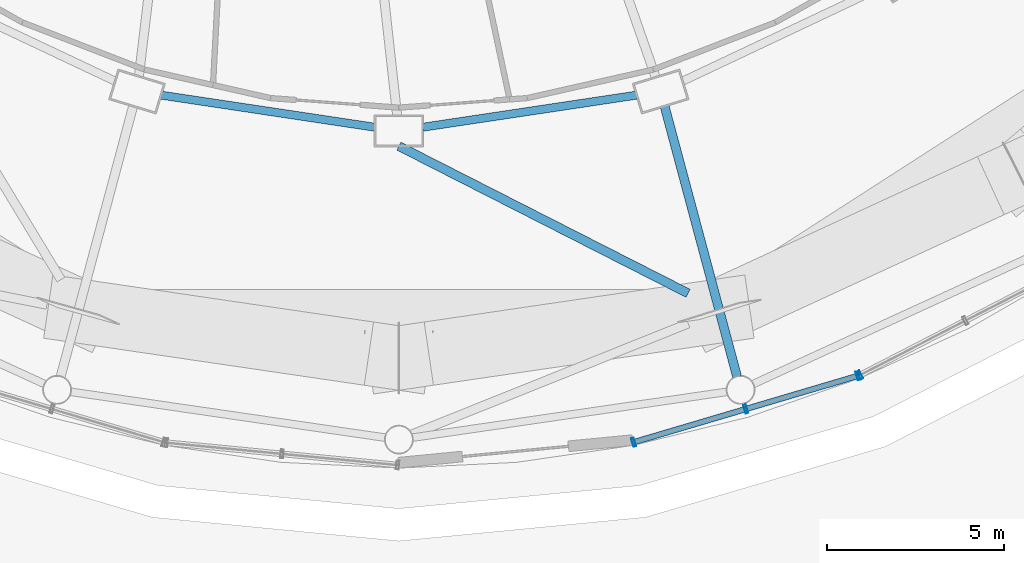
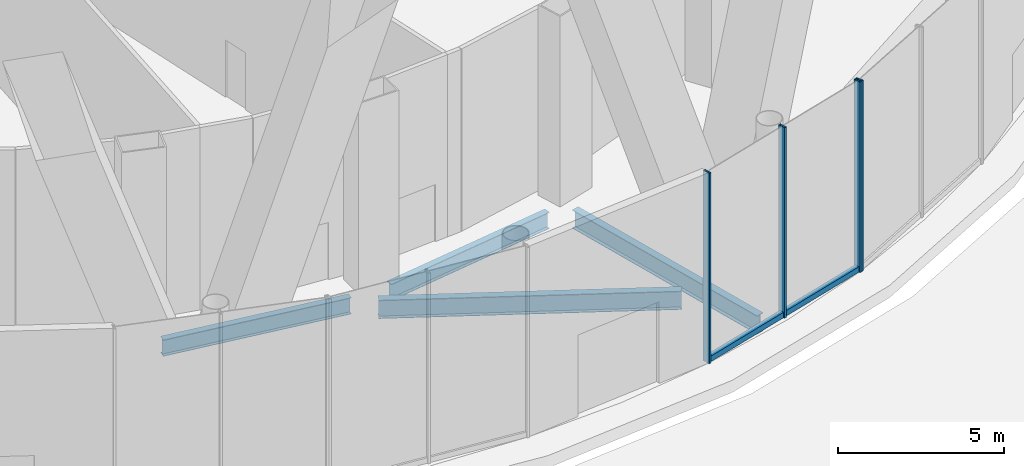
# One storey, part 16 of 67: 5 members, 4 beams, 2 elements without a shape of their own.
"""IFC4 building model written with IfcOpenShell, lengths in metres."""

from ifc_helpers import new_model, si_unit, direction, frame, origin, origin_2d, place, context, subcontext, project, spatial, hollow_rectangle, i_section, extrude, material, layer, layer_set, material_profile, profile_set, type_object, element, aggregate, save


model = new_model("IFC4")

# Units and contexts
model_context = context("Model", 3, precision=1e-05, world=origin(), true_north=direction((0.0, 1.0)))
body_context = subcontext(model_context, "Body", "Model", "MODEL_VIEW")
ifc_project = project(units=[si_unit("LENGTHUNIT", "METRE"), si_unit("AREAUNIT", "SQUARE_METRE"), si_unit("VOLUMEUNIT", "CUBIC_METRE"), si_unit("PLANEANGLEUNIT", "RADIAN"), si_unit("MASSUNIT", "GRAM", prefix="KILO")], contexts=[model_context])

# Site, building, storey
site_placement = place(None, origin())
site = spatial("IfcSite", under=ifc_project, at=site_placement, CompositionType="ELEMENT")
building_placement = place(site_placement, origin())
building = spatial("IfcBuilding", under=site, at=building_placement, Name="Nagisa Residences", CompositionType="ELEMENT")
storey_placement = place(building_placement, origin())
storey = spatial("IfcBuildingStorey", under=building, at=storey_placement, Name="L00", CompositionType="ELEMENT", Elevation=0.0)

# Beams
ifc_material_1 = material(Name="Steel ASTM A572 Gr 50", Category="steel")
ifc_material_profile_1 = material_profile(ifc_material_1, i_section(OverallWidth=0.2529296875, OverallDepth=0.677978515625, WebThickness=0.01171875, FlangeThickness=0.016357421875, at=origin_2d()), Name="W690x125")
ifc_profile_set_1 = profile_set([ifc_material_profile_1], Name="Steel ASTM A572 Gr 50")
beam_type_1 = type_object("IfcBeamType", Name="Atrium outer beam W690x125", PredefinedType="BEAM", material=ifc_profile_set_1)
beam_1_placement = place(storey_placement, frame((3.60009765625, -32.929931640625, -0.739013671875), z_axis=(0.891184504859, -0.453641023607, 0.0), x_axis=(0.453641023607, 0.891184504859, 0.0)))
element("IfcBeam", 1, at=beam_1_placement, inside=storey, type_object=beam_type_1, Name="beam:L00:er19a", PredefinedType="BEAM", context=body_context, shape_type="SweptSolid", body=[
    extrude(i_section(OverallWidth=0.2529296875, OverallDepth=0.677978515625, WebThickness=0.01171875, FlangeThickness=0.016357421875, at=origin_2d()), origin(), (0.0, 0.0, 1.0), 9.145263671875),
])
beam_2_placement = place(storey_placement, frame((11.087646484375, -31.80810546875, -0.739013671875), z_axis=(0.258809356376, -0.965928422324, 0.0), x_axis=(0.965928422324, 0.258809356376, 0.0)))
element("IfcBeam", 2, at=beam_2_placement, inside=storey, type_object=beam_type_1, Name="beam:L00:er20", PredefinedType="BEAM", context=body_context, shape_type="SweptSolid", body=[
    extrude(i_section(OverallWidth=0.2529296875, OverallDepth=0.677978515625, WebThickness=0.01171875, FlangeThickness=0.016357421875, at=origin_2d()), origin(), (0.0, 0.0, 1.0), 7.88330078125),
])

# Curtain wall, members
ifc_material_2 = material(Name="Stainless steel curtain wall system", Category="steel")
ifc_layer = layer(ifc_material_2, 0.159912109375)
ifc_layer_set = layer_set([ifc_layer], Name="CW3 CURTAIN WALL")
curtain_wall_type = type_object("IfcCurtainWallType", Name="CW3 CURTAIN WALL", PredefinedType="NOTDEFINED", material=ifc_layer_set)
curtain_wall_1_placement = place(storey_placement, origin())
curtain_wall_1 = element("IfcCurtainWall", 3, at=curtain_wall_1_placement, inside=storey, type_object=curtain_wall_type, Name="cw:CW3:L00:28", PredefinedType="NOTDEFINED")
ifc_material_3 = material(Name="Stainless steel", Category="steel")
ifc_material_profile_2 = material_profile(ifc_material_3, hollow_rectangle(XDim=0.25, YDim=0.080078125, WallThickness=0.008056640625, at=origin_2d()), Name="CW3 MULLION 250x80")
ifc_profile_set_2 = profile_set([ifc_material_profile_2], Name="Stainless steel")
member_type_1 = type_object("IfcMemberType", Name="CW3 MULLION 250x80", PredefinedType="MULLION", material=ifc_profile_set_2)
member_1_placement = place(storey_placement, frame((10.21435546875, -41.27392578125, 0.0), z_axis=(0.0, 0.0, 1.0), x_axis=(-0.283963226669, 0.958835171393, 0.0)))
member_1 = element("IfcMember", 4, at=member_1_placement, type_object=member_type_1, Name="CW3 mullion", PredefinedType="MULLION", context=body_context, shape_type="SweptSolid", body=[
    extrude(hollow_rectangle(XDim=0.25, YDim=0.080078125, WallThickness=0.008056640625, at=origin_2d()), origin(), (0.0, 0.0, 1.0), 7.0),
])
member_2_placement = place(storey_placement, frame((13.375, -40.337890625, 0.0), z_axis=(0.0, 0.0, 1.0), x_axis=(-0.283963226669, 0.958835171393, 0.0)))
member_2 = element("IfcMember", 5, at=member_2_placement, type_object=member_type_1, Name="CW3 mullion", PredefinedType="MULLION", context=body_context, shape_type="SweptSolid", body=[
    extrude(hollow_rectangle(XDim=0.25, YDim=0.080078125, WallThickness=0.008056640625, at=origin_2d()), origin(), (0.0, 0.0, 1.0), 7.0),
])
member_3_placement = place(storey_placement, frame((16.53564453125, -39.40185546875, 0.0), z_axis=(0.0, 0.0, 1.0), x_axis=(-0.283963226669, 0.958835171393, 0.0)))
member_3 = element("IfcMember", 6, at=member_3_placement, type_object=member_type_1, Name="CW3 mullion", PredefinedType="MULLION", context=body_context, shape_type="SweptSolid", body=[
    extrude(hollow_rectangle(XDim=0.25, YDim=0.080078125, WallThickness=0.008056640625, at=origin_2d()), origin(), (0.0, 0.0, 1.0), 7.0),
])

# Curtain wall, member
curtain_wall_2_placement = place(storey_placement, origin())
curtain_wall_2 = element("IfcCurtainWall", 7, at=curtain_wall_2_placement, inside=storey, type_object=curtain_wall_type, Name="cw:CW3:L00:29", PredefinedType="NOTDEFINED")
member_4_placement = place(storey_placement, frame((16.595703125, -39.377685546875, 0.0), z_axis=(0.0, 0.0, 1.0), x_axis=(-0.45812598783, 0.888887270285, 0.0)))
member_4 = element("IfcMember", 8, at=member_4_placement, type_object=member_type_1, Name="CW3 mullion", PredefinedType="MULLION", context=body_context, shape_type="SweptSolid", body=[
    extrude(hollow_rectangle(XDim=0.25, YDim=0.080078125, WallThickness=0.008056640625, at=origin_2d()), origin(), (0.0, 0.0, 1.0), 7.0),
])
aggregate(curtain_wall_2, [member_4])

# Member
ifc_material_4 = material(Name="Stainless steel", Category="steel")
ifc_material_profile_3 = material_profile(ifc_material_4, hollow_rectangle(XDim=0.159912109375, YDim=0.199951171875, WallThickness=0.008056640625, at=origin_2d()), Name="CW3 TRANSOM 160x200")
ifc_profile_set_3 = profile_set([ifc_material_profile_3], Name="Stainless steel")
member_type_2 = type_object("IfcMemberType", Name="CW3 TRANSOM 160x200", PredefinedType="USERDEFINED", material=ifc_profile_set_3)
member_5_placement = place(storey_placement, frame((10.176025390625, -41.28515625, 0.10009765625), z_axis=(0.958835384932, 0.283962505627, 0.0), x_axis=(-0.283962505627, 0.958835384932, 0.0)))
member_5 = element("IfcMember", 9, at=member_5_placement, type_object=member_type_2, Name="CW3 transom", ObjectType="TRANSOM", PredefinedType="USERDEFINED", context=body_context, shape_type="SweptSolid", body=[
    extrude(hollow_rectangle(XDim=0.159912109375, YDim=0.199951171875, WallThickness=0.008056640625, at=origin_2d()), origin(), (0.0, 0.0, 1.0), 6.672607421875),
])

aggregate(curtain_wall_1, [member_1, member_2, member_3, member_5])

# Beams
ifc_material_5 = material(Name="Steel ASTM A572 Gr 50", Category="steel")
ifc_material_profile_4 = material_profile(ifc_material_5, i_section(OverallWidth=0.22802734375, OverallDepth=0.60302734375, WebThickness=0.010498046875, FlangeThickness=0.014892578125, at=origin_2d()), Name="W610x101")
ifc_profile_set_4 = profile_set([ifc_material_profile_4], Name="Steel ASTM A572 Gr 50")
beam_type_2 = type_object("IfcBeamType", Name="Perimeter ring beam W610x101", PredefinedType="BEAM", material=ifc_profile_set_4)
for number, where, z_axis, x_axis, name in (
    (10, (-3.096435546875, -31.49462890625, -0.701416015625), (0.988914559467, -0.14848566959, 0.0), (0.14848566959, 0.988914559467, 0.0), "beam:L00:pb18"),
    (11, (4.2802734375, -32.39794921875, -0.701416015625), (0.988914559467, 0.14848566959, 0.0), (-0.14848566959, 0.988914559467, 0.0), "beam:L00:pb19"),
):
    element("IfcBeam", number, at=place(storey_placement, frame(where, z_axis=z_axis, x_axis=x_axis)), inside=storey, type_object=beam_type_2, Name=name, PredefinedType="BEAM", context=body_context, shape_type="SweptSolid", body=[
        extrude(i_section(OverallWidth=0.22802734375, OverallDepth=0.60302734375, WebThickness=0.010498046875, FlangeThickness=0.014892578125, at=origin_2d()), origin(), (0.0, 0.0, 1.0), 6.08349609375),
    ])

save(model, "model.ifc")
